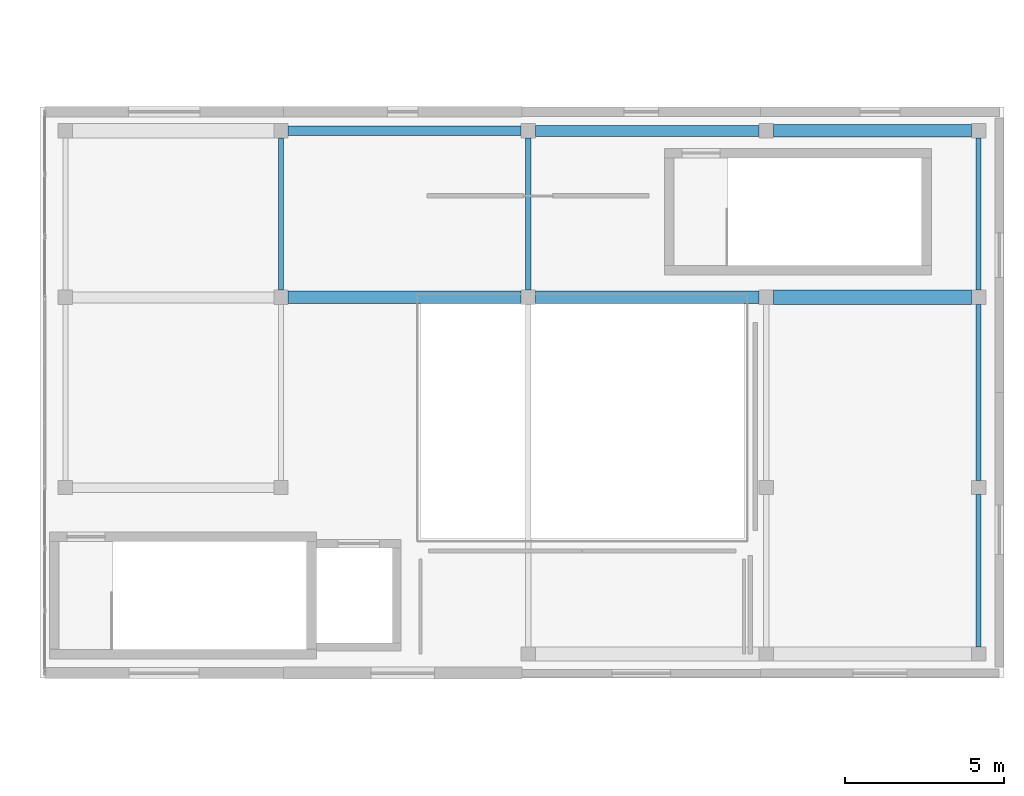
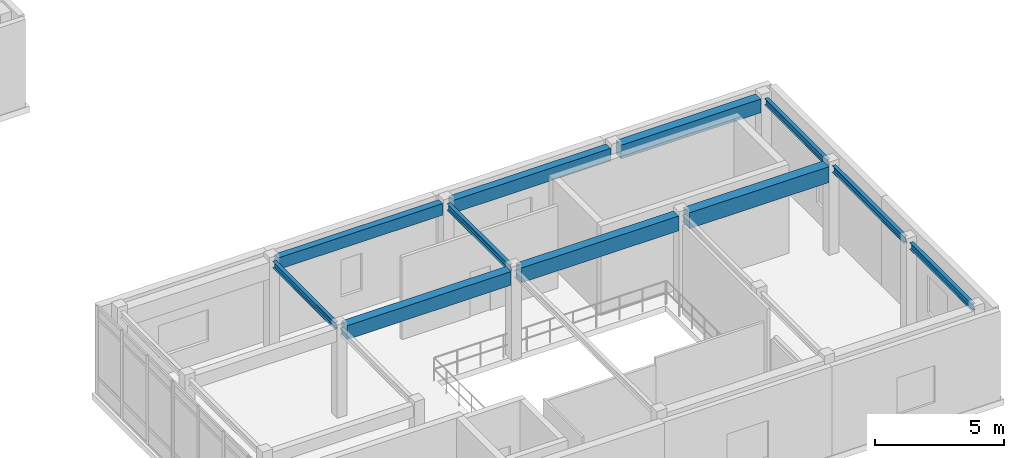
# One storey, part 101 of 142: 11 beams.
"""IFC4 building model written with IfcOpenShell, lengths in metres."""

from ifc_helpers import new_model, si_unit, direction, frame, origin, origin_2d, place, context, subcontext, project, spatial, rectangle, i_section, extrude, material, material_profile, profile_set, type_object, element, save


model = new_model("IFC4")

# Units and contexts
model_context = context("Model", 3, precision=1e-05, world=origin(), true_north=direction((0.0, 1.0)))
body_context = subcontext(model_context, "Body", "Model", "MODEL_VIEW")
ifc_project = project(units=[si_unit("LENGTHUNIT", "METRE"), si_unit("AREAUNIT", "SQUARE_METRE"), si_unit("VOLUMEUNIT", "CUBIC_METRE"), si_unit("PLANEANGLEUNIT", "RADIAN"), si_unit("MASSUNIT", "GRAM", prefix="KILO")], contexts=[model_context])

# Site, building, storey
site_placement = place(None, origin())
site = spatial("IfcSite", under=ifc_project, at=site_placement, CompositionType="ELEMENT")
building_placement = place(site_placement, origin())
building = spatial("IfcBuilding", under=site, at=building_placement, Name="Valcora Specialist Clinic", CompositionType="ELEMENT")
storey_placement = place(building_placement, frame((0.0, 0.0, 5.10009765625)))
storey = spatial("IfcBuildingStorey", under=building, at=storey_placement, Name="L01", CompositionType="ELEMENT", Elevation=5.10009765625)

# Beams
ifc_material_1 = material(Name="Steel ASTM A992 Grade 50", Category="steel")
ifc_material_profile_1 = material_profile(ifc_material_1, i_section(OverallWidth=0.1650390625, OverallDepth=0.31005859375, WebThickness=0.006103515625, FlangeThickness=0.010009765625, at=origin_2d()), Name="ST-IR-310X165")
ifc_profile_set_1 = profile_set([ifc_material_profile_1], Name="Steel ASTM A992 Grade 50")
beam_type_1 = type_object("IfcBeamType", Name="TY-BM-IR310", PredefinedType="BEAM", material=ifc_profile_set_1)
for number, where, z_axis, x_axis, name in (
    (1, (139.199951171875, 50.22509765625, 4.046142578125), (0.0, 1.0, 0.0), (-1.0, 0.0, 0.0), "Beam BM-L01-0439"),
    (2, (147.0, 50.22509765625, 4.046142578125), (0.0, 1.0, 0.0), (-1.0, 0.0, 0.0), "Beam BM-L01-0441"),
    (3, (161.199951171875, 38.97509765625, 4.046142578125), (0.0, 1.0, 0.0), (-1.0, 0.0, 0.0), "Beam BM-L01-0443"),
):
    element("IfcBeam", number, at=place(storey_placement, frame(where, z_axis=z_axis, x_axis=x_axis)), inside=storey, type_object=beam_type_1, Name=name, PredefinedType="BEAM", context=body_context, shape_type="SweptSolid", body=[
        extrude(i_section(OverallWidth=0.1650390625, OverallDepth=0.31005859375, WebThickness=0.006103515625, FlangeThickness=0.010009765625, at=origin_2d()), origin(), (0.0, 0.0, 1.0), 4.7998046875),
    ])
beam_1_placement = place(storey_placement, frame((161.199951171875, 44.22509765625, 4.046142578125), z_axis=(0.0, 1.0, 0.0), x_axis=(-1.0, 0.0, 0.0)))
element("IfcBeam", 4, at=beam_1_placement, inside=storey, type_object=beam_type_1, Name="Beam BM-L01-0444", PredefinedType="BEAM", context=body_context, shape_type="SweptSolid", body=[
    extrude(i_section(OverallWidth=0.1650390625, OverallDepth=0.31005859375, WebThickness=0.006103515625, FlangeThickness=0.010009765625, at=origin_2d()), origin(), (0.0, 0.0, 1.0), 5.5498046875),
])
beam_2_placement = place(storey_placement, frame((161.199951171875, 50.22509765625, 4.046142578125), z_axis=(0.0, 1.0, 0.0), x_axis=(-1.0, 0.0, 0.0)))
element("IfcBeam", 5, at=beam_2_placement, inside=storey, type_object=beam_type_1, Name="Beam BM-L01-0445", PredefinedType="BEAM", context=body_context, shape_type="SweptSolid", body=[
    extrude(i_section(OverallWidth=0.1650390625, OverallDepth=0.31005859375, WebThickness=0.006103515625, FlangeThickness=0.010009765625, at=origin_2d()), origin(), (0.0, 0.0, 1.0), 4.7998046875),
])
ifc_material_2 = material(Name="Concrete C40/50", Category="concrete")
ifc_material_profile_2 = material_profile(ifc_material_2, rectangle(XDim=0.300048828125, YDim=0.550048828125, at=origin_2d()), Name="RC-BM-300X550")
ifc_profile_set_2 = profile_set([ifc_material_profile_2], Name="Concrete C40/50")
beam_type_2 = type_object("IfcBeamType", Name="TY-BM-RC300X550", PredefinedType="BEAM", material=ifc_profile_set_2)
beam_3_placement = place(storey_placement, frame((139.425048828125, 55.25, 3.93017578125), z_axis=(1.0, 0.0, 0.0), x_axis=(0.0, 1.0, 0.0)))
element("IfcBeam", 6, at=beam_3_placement, inside=storey, type_object=beam_type_2, Name="Beam BM-L01-0433", PredefinedType="BEAM", context=body_context, shape_type="SweptSolid", body=[
    extrude(rectangle(XDim=0.300048828125, YDim=0.550048828125, at=origin_2d()), origin(), (0.0, 0.0, 1.0), 7.349853515625),
])
ifc_material_profile_3 = material_profile(ifc_material_2, rectangle(XDim=0.35009765625, YDim=0.60009765625, at=origin_2d()), Name="RC-BM-350X600")
ifc_profile_set_3 = profile_set([ifc_material_profile_3], Name="Concrete C40/50")
beam_type_3 = type_object("IfcBeamType", Name="TY-BM-RC350X600", PredefinedType="BEAM", material=ifc_profile_set_3)
beam_4_placement = place(storey_placement, frame((147.22509765625, 55.25, 3.9052734375), z_axis=(1.0, 0.0, 0.0), x_axis=(0.0, 1.0, 0.0)))
element("IfcBeam", 7, at=beam_4_placement, inside=storey, type_object=beam_type_3, Name="Beam BM-L01-0434", PredefinedType="BEAM", context=body_context, shape_type="SweptSolid", body=[
    extrude(rectangle(XDim=0.35009765625, YDim=0.60009765625, at=origin_2d()), origin(), (0.0, 0.0, 1.0), 7.0498046875),
])
ifc_material_profile_4 = material_profile(ifc_material_2, rectangle(XDim=0.39990234375, YDim=0.64990234375, at=origin_2d()), Name="RC-BM-400X650")
ifc_profile_set_4 = profile_set([ifc_material_profile_4], Name="Concrete C40/50")
beam_type_4 = type_object("IfcBeamType", Name="TY-BM-RC400X650", PredefinedType="BEAM", material=ifc_profile_set_4)
beam_5_placement = place(storey_placement, frame((139.425048828125, 50.0, 3.880126953125), z_axis=(1.0, 0.0, 0.0), x_axis=(0.0, 1.0, 0.0)))
element("IfcBeam", 8, at=beam_5_placement, inside=storey, type_object=beam_type_4, Name="Beam BM-L01-0429", PredefinedType="BEAM", context=body_context, shape_type="SweptSolid", body=[
    extrude(rectangle(XDim=0.39990234375, YDim=0.64990234375, at=origin_2d()), origin(), (0.0, 0.0, 1.0), 7.349853515625),
])
beam_6_placement = place(storey_placement, frame((154.72509765625, 55.25, 3.880126953125), z_axis=(1.0, 0.0, 0.0), x_axis=(0.0, 1.0, 0.0)))
element("IfcBeam", 9, at=beam_6_placement, inside=storey, type_object=beam_type_4, Name="Beam BM-L01-0435", PredefinedType="BEAM", context=body_context, shape_type="SweptSolid", body=[
    extrude(rectangle(XDim=0.39990234375, YDim=0.64990234375, at=origin_2d()), origin(), (0.0, 0.0, 1.0), 6.25),
])
ifc_material_profile_5 = material_profile(ifc_material_2, rectangle(XDim=0.39990234375, YDim=0.699951171875, at=origin_2d()), Name="RC-BM-400X700")
ifc_profile_set_5 = profile_set([ifc_material_profile_5], Name="Concrete C40/50")
beam_type_5 = type_object("IfcBeamType", Name="TY-BM-RC400X700", PredefinedType="BEAM", material=ifc_profile_set_5)
beam_7_placement = place(storey_placement, frame((147.22509765625, 50.0, 3.855224609375), z_axis=(1.0, 0.0, 0.0), x_axis=(0.0, 1.0, 0.0)))
element("IfcBeam", 10, at=beam_7_placement, inside=storey, type_object=beam_type_5, Name="Beam BM-L01-0430", PredefinedType="BEAM", context=body_context, shape_type="SweptSolid", body=[
    extrude(rectangle(XDim=0.39990234375, YDim=0.699951171875, at=origin_2d()), origin(), (0.0, 0.0, 1.0), 7.0498046875),
])
ifc_material_profile_6 = material_profile(ifc_material_2, rectangle(XDim=0.449951171875, YDim=0.75, at=origin_2d()), Name="RC-BM-450X750")
ifc_profile_set_6 = profile_set([ifc_material_profile_6], Name="Concrete C40/50")
beam_type_6 = type_object("IfcBeamType", Name="TY-BM-RC450X750", PredefinedType="BEAM", material=ifc_profile_set_6)
beam_8_placement = place(storey_placement, frame((154.72509765625, 50.0, 3.830322265625), z_axis=(1.0, 0.0, 0.0), x_axis=(0.0, 1.0, 0.0)))
element("IfcBeam", 11, at=beam_8_placement, inside=storey, type_object=beam_type_6, Name="Beam BM-L01-0431", PredefinedType="BEAM", context=body_context, shape_type="SweptSolid", body=[
    extrude(rectangle(XDim=0.449951171875, YDim=0.75, at=origin_2d()), origin(), (0.0, 0.0, 1.0), 6.25),
])

save(model, "model.ifc")
